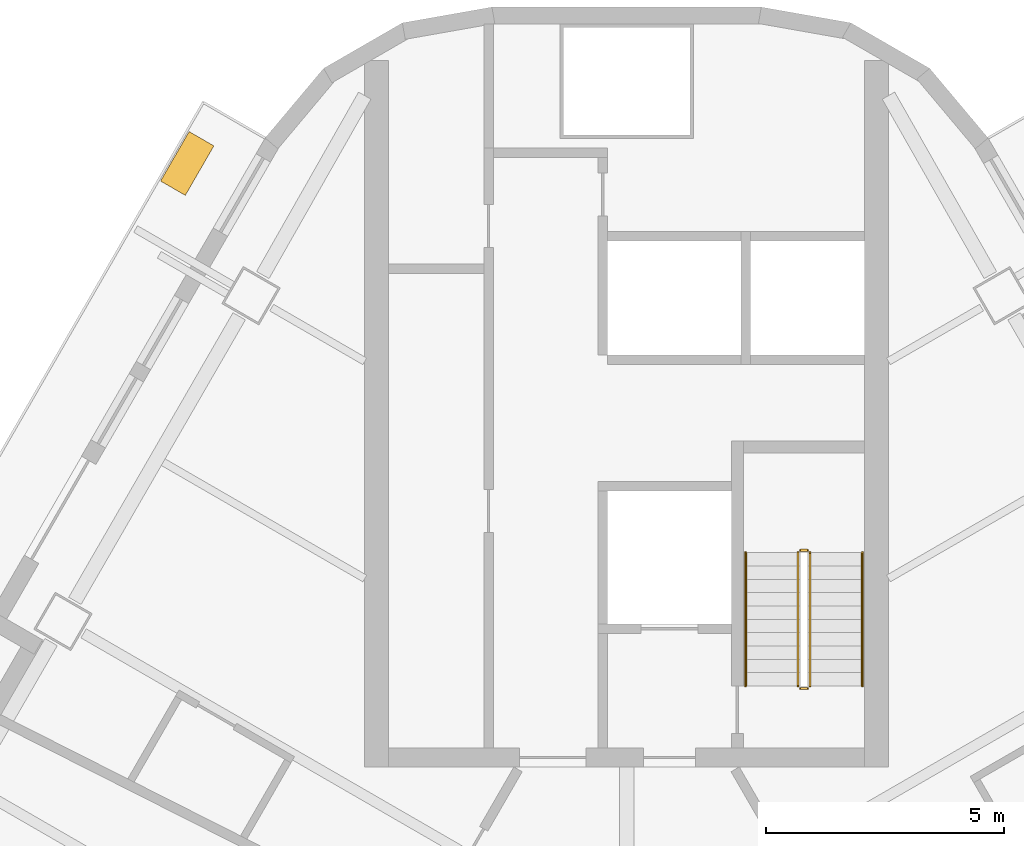
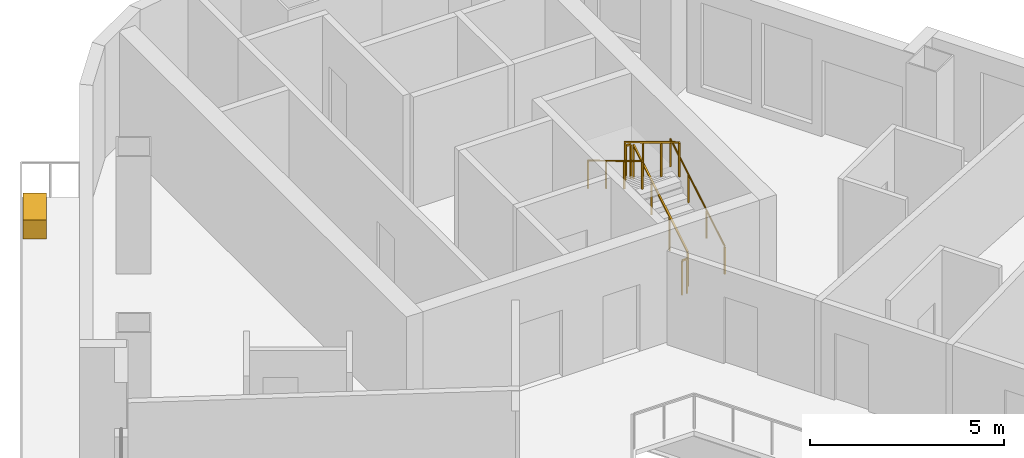
# One storey, part 14 of 14: 6 railings, 1 covering.
"""IFC4 building model written with IfcOpenShell, lengths in metres."""

from ifc_helpers import new_model, si_unit, direction, frame, origin, origin_2d, place, context, subcontext, project, spatial, rectangle, circle, extrude, material, type_object, element, save


model = new_model("IFC4")

# Units and contexts
model_context = context("Model", 3, precision=1e-05, world=origin(), true_north=direction((0.0, 1.0)))
body_context = subcontext(model_context, "Body", "Model", "MODEL_VIEW")
ifc_project = project(units=[si_unit("LENGTHUNIT", "METRE"), si_unit("AREAUNIT", "SQUARE_METRE"), si_unit("VOLUMEUNIT", "CUBIC_METRE"), si_unit("PLANEANGLEUNIT", "RADIAN"), si_unit("MASSUNIT", "GRAM", prefix="KILO")], contexts=[model_context])

# Site, building, storey
site_placement = place(None, origin())
site = spatial("IfcSite", under=ifc_project, at=site_placement, CompositionType="ELEMENT")
building_placement = place(site_placement, origin())
building = spatial("IfcBuilding", under=site, at=building_placement, Name="Apuvela Tower Hotel", CompositionType="ELEMENT")
storey_placement = place(building_placement, frame((0.0, 0.0, 87.199951171875)))
storey = spatial("IfcBuildingStorey", under=building, at=storey_placement, Name="L19", CompositionType="ELEMENT", Elevation=87.199951171875)

# Railings
ifc_material_1 = material(Name="Steel S275 balustrade", Category="steel")
railing_type_1 = type_object("IfcRailingType", Name="COR-GUARD-1100", PredefinedType="GUARDRAIL", material=ifc_material_1)
railing_1_placement = place(storey_placement, frame((3.85009765625, 14.60009765625, 0.168212890625)))
element("IfcRailing", 1, at=railing_1_placement, inside=storey, type_object=railing_type_1, Name="L19 ST1 stair guard 1", PredefinedType="GUARDRAIL", context=body_context, shape_type="SweptSolid", body=[
    extrude(rectangle(XDim=0.048095703125, YDim=0.048095703125, at=origin_2d()), frame((0.0, 0.0, 1.076171875), z_axis=(0.0, 0.857222391501, 0.514946377315), x_axis=(-1.0, 0.0, 0.0)), (0.0, 0.0, 1.0), 3.26611328125),
    extrude(rectangle(XDim=0.0419921875, YDim=0.0419921875, at=origin_2d()), origin(), (0.0, 0.0, 1.0), 1.052001953125),
    extrude(rectangle(XDim=0.0419921875, YDim=0.0419921875, at=origin_2d()), frame((0.0, 0.933349609375, 0.560546875)), (0.0, 0.0, 1.0), 1.052001953125),
    extrude(rectangle(XDim=0.0419921875, YDim=0.0419921875, at=origin_2d()), frame((0.0, 1.866455078125, 1.121337890625)), (0.0, 0.0, 1.0), 1.052001953125),
    extrude(rectangle(XDim=0.0419921875, YDim=0.0419921875, at=origin_2d()), frame((0.0, 2.7998046875, 1.681884765625)), (0.0, 0.0, 1.0), 1.052001953125),
])
railing_2_placement = place(storey_placement, frame((3.800048828125, 17.449951171875, 1.85009765625)))
element("IfcRailing", 2, at=railing_2_placement, inside=storey, type_object=railing_type_1, Name="L19 ST1 stair guard 2", PredefinedType="GUARDRAIL", context=body_context, shape_type="SweptSolid", body=[
    extrude(rectangle(XDim=0.048095703125, YDim=0.048095703125, at=origin_2d()), frame((0.0, 0.0, 1.076171875), z_axis=(-1.0, 0.0, 0.0), x_axis=(0.0, -1.0, 0.0)), (0.0, 0.0, 1.0), 0.150146484375),
    extrude(rectangle(XDim=0.0419921875, YDim=0.0419921875, at=origin_2d()), origin(), (0.0, 0.0, 1.0), 1.052001953125),
    extrude(rectangle(XDim=0.0419921875, YDim=0.0419921875, at=origin_2d()), frame((-0.150146484375, 0.0, 0.0)), (0.0, 0.0, 1.0), 1.052001953125),
])
railing_3_placement = place(storey_placement, frame((3.60009765625, 17.39990234375, 2.018310546875)))
element("IfcRailing", 3, at=railing_3_placement, inside=storey, type_object=railing_type_1, Name="L19 ST1 stair guard 3", PredefinedType="GUARDRAIL", context=body_context, shape_type="SweptSolid", body=[
    extrude(rectangle(XDim=0.048095703125, YDim=0.048095703125, at=origin_2d()), frame((0.0, 0.0, 1.076171875), z_axis=(0.0, -0.857255387014, 0.514891446264), x_axis=(1.0, 0.0, 0.0)), (0.0, 0.0, 1.0), 3.26611328125),
    extrude(rectangle(XDim=0.0419921875, YDim=0.0419921875, at=origin_2d()), origin(), (0.0, 0.0, 1.0), 1.052001953125),
    extrude(rectangle(XDim=0.0419921875, YDim=0.0419921875, at=origin_2d()), frame((0.0, -0.933349609375, 0.560546875)), (0.0, 0.0, 1.0), 1.052001953125),
    extrude(rectangle(XDim=0.0419921875, YDim=0.0419921875, at=origin_2d()), frame((0.0, -1.866455078125, 1.12109375)), (0.0, 0.0, 1.0), 1.052001953125),
    extrude(rectangle(XDim=0.0419921875, YDim=0.0419921875, at=origin_2d()), frame((0.0, -2.7998046875, 1.681640625)), (0.0, 0.0, 1.0), 1.052001953125),
])
railing_4_placement = place(storey_placement, frame((3.800048828125, 14.550048828125, 0.0)))
element("IfcRailing", 4, at=railing_4_placement, inside=storey, type_object=railing_type_1, Name="L19 ST1 stair guard 4", PredefinedType="GUARDRAIL", context=body_context, shape_type="SweptSolid", body=[
    extrude(rectangle(XDim=0.048095703125, YDim=0.048095703125, at=origin_2d()), frame((0.0, 0.0, 1.076171875), z_axis=(-1.0, 0.0, 0.0), x_axis=(0.0, -1.0, 0.0)), (0.0, 0.0, 1.0), 0.150146484375),
    extrude(rectangle(XDim=0.0419921875, YDim=0.0419921875, at=origin_2d()), origin(), (0.0, 0.0, 1.0), 1.052001953125),
    extrude(rectangle(XDim=0.0419921875, YDim=0.0419921875, at=origin_2d()), frame((-0.150146484375, 0.0, 0.0)), (0.0, 0.0, 1.0), 1.052001953125),
])
ifc_material_2 = material(Name="Stainless steel 316 handrail", Category="steel")
railing_type_2 = type_object("IfcRailingType", Name="COR-HANDRAIL-900", PredefinedType="HANDRAIL", material=ifc_material_2)
railing_5_placement = place(storey_placement, frame((4.949951171875, 14.60009765625, 0.168212890625)))
element("IfcRailing", 5, at=railing_5_placement, inside=storey, type_object=railing_type_2, Name="L19 ST1 stair handrail 1", PredefinedType="HANDRAIL", context=body_context, shape_type="SweptSolid", body=[
    extrude(circle(Radius=0.02392578125, at=origin_2d()), frame((0.0, 0.0, 0.8759765625), z_axis=(0.0, 0.857222391501, 0.514946377315), x_axis=(-1.0, 0.0, 0.0)), (0.0, 0.0, 1.0), 3.26611328125),
    extrude(rectangle(XDim=0.0419921875, YDim=0.0419921875, at=origin_2d()), origin(), (0.0, 0.0, 1.0), 0.851806640625),
    extrude(rectangle(XDim=0.0419921875, YDim=0.0419921875, at=origin_2d()), frame((0.0, 0.933349609375, 0.560546875)), (0.0, 0.0, 1.0), 0.851806640625),
    extrude(rectangle(XDim=0.0419921875, YDim=0.0419921875, at=origin_2d()), frame((0.0, 1.866455078125, 1.121337890625)), (0.0, 0.0, 1.0), 0.851806640625),
    extrude(rectangle(XDim=0.0419921875, YDim=0.0419921875, at=origin_2d()), frame((0.0, 2.7998046875, 1.681884765625)), (0.0, 0.0, 1.0), 0.851806640625),
])
railing_6_placement = place(storey_placement, frame((2.5, 17.39990234375, 2.018310546875)))
element("IfcRailing", 6, at=railing_6_placement, inside=storey, type_object=railing_type_2, Name="L19 ST1 stair handrail 2", PredefinedType="HANDRAIL", context=body_context, shape_type="SweptSolid", body=[
    extrude(circle(Radius=0.02392578125, at=origin_2d()), frame((0.0, 0.0, 0.8759765625), z_axis=(0.0, -0.857255387014, 0.514891446264), x_axis=(1.0, 0.0, 0.0)), (0.0, 0.0, 1.0), 3.26611328125),
    extrude(rectangle(XDim=0.0419921875, YDim=0.0419921875, at=origin_2d()), origin(), (0.0, 0.0, 1.0), 0.851806640625),
    extrude(rectangle(XDim=0.0419921875, YDim=0.0419921875, at=origin_2d()), frame((0.0, -0.933349609375, 0.560546875)), (0.0, 0.0, 1.0), 0.851806640625),
    extrude(rectangle(XDim=0.0419921875, YDim=0.0419921875, at=origin_2d()), frame((0.0, -1.866455078125, 1.12109375)), (0.0, 0.0, 1.0), 0.851806640625),
    extrude(rectangle(XDim=0.0419921875, YDim=0.0419921875, at=origin_2d()), frame((0.0, -2.7998046875, 1.681640625)), (0.0, 0.0, 1.0), 0.851806640625),
])

# Covering
ifc_material_3 = material(Name="Planting substrate and soil, planted")
covering_type = type_object("IfcCoveringType", Name="ENV-PLANTER-1200x600", PredefinedType="USERDEFINED", material=ifc_material_3)
covering_placement = place(storey_placement, frame((-9.228515625, 25.57568359375, 0.0), z_axis=(0.0, 0.0, 1.0), x_axis=(-0.5, -0.866025403784, 0.0)))
element("IfcCovering", 7, at=covering_placement, inside=storey, type_object=covering_type, Name="Planter NW3", ObjectType="PLANTER", PredefinedType="USERDEFINED", context=body_context, shape_type="SweptSolid", body=[
    extrude(rectangle(XDim=1.199951171875, YDim=0.60009765625, at=origin_2d()), origin(), (0.0, 0.0, 1.0), 0.60009765625),
])

save(model, "model.ifc")
